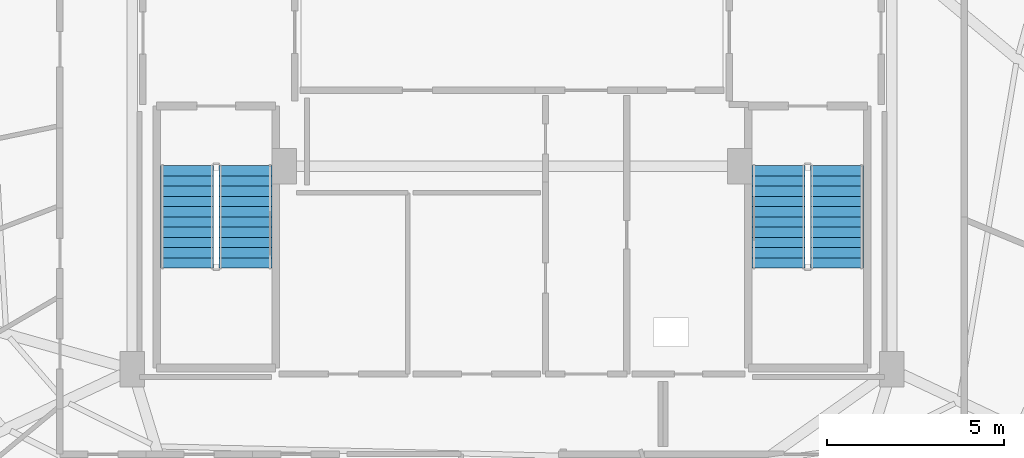
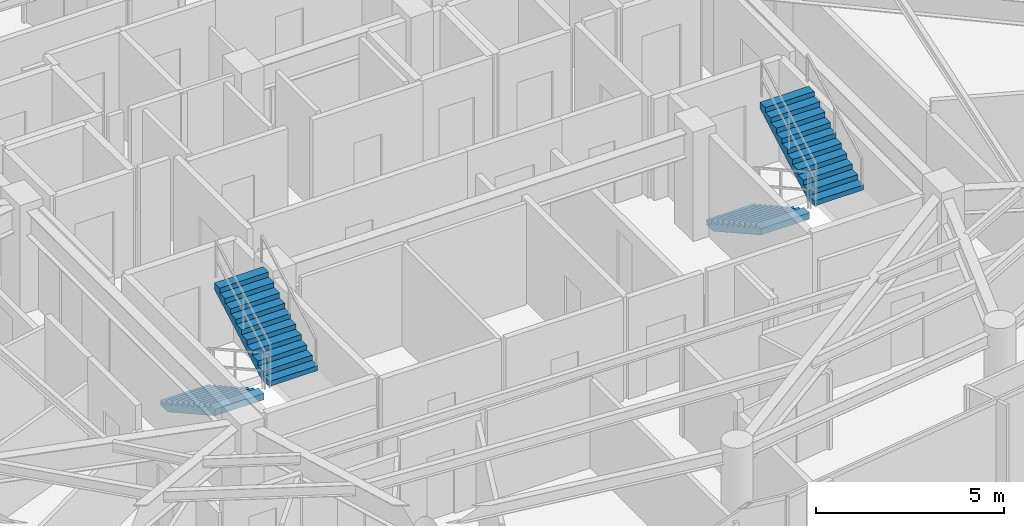
# One storey, part 26 of 30: 4 stair flights, 2 elements without a shape of their own.
"""IFC4 building model written with IfcOpenShell, lengths in metres."""

from ifc_helpers import new_model, si_unit, direction, frame, origin, place, context, subcontext, project, spatial, polyline, outline, extrude, material, type_object, element, aggregate, save


model = new_model("IFC4")

# Units and contexts
model_context = context("Model", 3, precision=1e-05, world=origin(), true_north=direction((0.0, 1.0)))
body_context = subcontext(model_context, "Body", "Model", "MODEL_VIEW")
ifc_project = project(units=[si_unit("LENGTHUNIT", "METRE"), si_unit("AREAUNIT", "SQUARE_METRE"), si_unit("VOLUMEUNIT", "CUBIC_METRE"), si_unit("PLANEANGLEUNIT", "RADIAN"), si_unit("MASSUNIT", "GRAM", prefix="KILO")], contexts=[model_context])

# Site, building, storey
site_placement = place(None, origin())
site = spatial("IfcSite", under=ifc_project, at=site_placement, CompositionType="ELEMENT")
building_placement = place(site_placement, origin())
building = spatial("IfcBuilding", under=site, at=building_placement, Name="Vorneva Point Tower", CompositionType="ELEMENT")
storey_placement = place(building_placement, frame((0.0, 0.0, 234.25)))
storey = spatial("IfcBuildingStorey", under=building, at=storey_placement, Name="L63", CompositionType="ELEMENT", Elevation=234.25)

# Stair, stair flights
ifc_material = material(Name="Concrete B50 (C40/50)", Category="concrete")
stair_type = type_object("IfcStairType", Name="ST-DOG-1500", PredefinedType="HALF_TURN_STAIR", material=ifc_material)
stair_1_placement = place(storey_placement, origin())
stair_1 = element("IfcStair", 1, at=stair_1_placement, inside=storey, type_object=stair_type, Name="L63 ST1", PredefinedType="HALF_TURN_STAIR")
stair_flight_type = type_object("IfcStairFlightType", Name="STF-1500", PredefinedType="STRAIGHT", material=ifc_material)
stair_flight_1_placement = place(storey_placement, frame((28.800048828125, 22.219970703125, 0.0), z_axis=(0.0, 0.0, 1.0), x_axis=(0.0, -1.0, 0.0)))
stair_flight_1 = element("IfcStairFlight", 2, at=stair_flight_1_placement, type_object=stair_flight_type, Name="ST1 flight 1", NumberOfRisers=11, NumberOfTreads=10, PredefinedType="STRAIGHT", RiserHeight=0.161363636, TreadLength=0.29, context=body_context, shape_type="SweptSolid", body=[
    extrude(outline(polyline([(0.0, 0.0), (0.0, 0.161376953125), (0.2900390625, 0.161376953125), (0.2900390625, 0.32275390625), (0.580078125, 0.32275390625), (0.580078125, 0.484130859375), (0.8701171875, 0.484130859375), (0.8701171875, 0.6455078125), (1.159912109375, 0.6455078125), (1.159912109375, 0.806884765625), (1.449951171875, 0.806884765625), (1.449951171875, 0.96826171875), (1.739990234375, 0.96826171875), (1.739990234375, 1.129638671875), (2.030029296875, 1.129638671875), (2.030029296875, 1.291015625), (2.320068359375, 1.291015625), (2.320068359375, 1.452392578125), (2.610107421875, 1.452392578125), (2.610107421875, 1.613525390625), (2.89990234375, 1.613525390625), (2.89990234375, 1.77490234375), (2.89990234375, 1.40771484375), (0.3701171875, 0.0), (0.0, 0.0)])), frame((0.0, 0.75, 0.0), z_axis=(0.0, -1.0, 0.0), x_axis=(1.0, 0.0, 0.0)), (0.0, 0.0, 1.0), 1.5),
])
stair_flight_2_placement = place(storey_placement, frame((30.449951171875, 19.320068359375, 1.77490234375), z_axis=(0.0, 0.0, 1.0), x_axis=(0.0, 1.0, 0.0)))
stair_flight_2 = element("IfcStairFlight", 3, at=stair_flight_2_placement, type_object=stair_flight_type, Name="ST1 flight 2", NumberOfRisers=11, NumberOfTreads=10, PredefinedType="STRAIGHT", RiserHeight=0.161363636, TreadLength=0.29, context=body_context, shape_type="SweptSolid", body=[
    extrude(outline(polyline([(0.0, 0.0), (0.0, 0.161376953125), (0.2900390625, 0.161376953125), (0.2900390625, 0.32275390625), (0.580078125, 0.32275390625), (0.580078125, 0.484130859375), (0.8701171875, 0.484130859375), (0.8701171875, 0.6455078125), (1.159912109375, 0.6455078125), (1.159912109375, 0.806884765625), (1.449951171875, 0.806884765625), (1.449951171875, 0.96826171875), (1.739990234375, 0.96826171875), (1.739990234375, 1.129638671875), (2.030029296875, 1.129638671875), (2.030029296875, 1.291015625), (2.320068359375, 1.291015625), (2.320068359375, 1.452392578125), (2.610107421875, 1.452392578125), (2.610107421875, 1.613525390625), (2.89990234375, 1.613525390625), (2.89990234375, 1.77490234375), (2.89990234375, 1.40771484375), (0.3701171875, 0.0), (0.0, 0.0)])), frame((0.0, 0.75, 0.0), z_axis=(0.0, -1.0, 0.0), x_axis=(1.0, 0.0, 0.0)), (0.0, 0.0, 1.0), 1.5),
])
aggregate(stair_1, [stair_flight_1, stair_flight_2])

stair_2_placement = place(storey_placement, origin())
stair_2 = element("IfcStair", 4, at=stair_2_placement, inside=storey, type_object=stair_type, Name="L63 ST2", PredefinedType="HALF_TURN_STAIR")
stair_flight_3_placement = place(storey_placement, frame((45.550048828125, 22.219970703125, 0.0), z_axis=(0.0, 0.0, 1.0), x_axis=(0.0, -1.0, 0.0)))
stair_flight_3 = element("IfcStairFlight", 5, at=stair_flight_3_placement, type_object=stair_flight_type, Name="ST2 flight 1", NumberOfRisers=11, NumberOfTreads=10, PredefinedType="STRAIGHT", RiserHeight=0.161363636, TreadLength=0.29, context=body_context, shape_type="SweptSolid", body=[
    extrude(outline(polyline([(0.0, 0.0), (0.0, 0.161376953125), (0.2900390625, 0.161376953125), (0.2900390625, 0.32275390625), (0.580078125, 0.32275390625), (0.580078125, 0.484130859375), (0.8701171875, 0.484130859375), (0.8701171875, 0.6455078125), (1.159912109375, 0.6455078125), (1.159912109375, 0.806884765625), (1.449951171875, 0.806884765625), (1.449951171875, 0.96826171875), (1.739990234375, 0.96826171875), (1.739990234375, 1.129638671875), (2.030029296875, 1.129638671875), (2.030029296875, 1.291015625), (2.320068359375, 1.291015625), (2.320068359375, 1.452392578125), (2.610107421875, 1.452392578125), (2.610107421875, 1.613525390625), (2.89990234375, 1.613525390625), (2.89990234375, 1.77490234375), (2.89990234375, 1.40771484375), (0.3701171875, 0.0), (0.0, 0.0)])), frame((0.0, 0.75, 0.0), z_axis=(0.0, -1.0, 0.0), x_axis=(1.0, 0.0, 0.0)), (0.0, 0.0, 1.0), 1.5),
])
stair_flight_4_placement = place(storey_placement, frame((47.199951171875, 19.320068359375, 1.77490234375), z_axis=(0.0, 0.0, 1.0), x_axis=(0.0, 1.0, 0.0)))
stair_flight_4 = element("IfcStairFlight", 6, at=stair_flight_4_placement, type_object=stair_flight_type, Name="ST2 flight 2", NumberOfRisers=11, NumberOfTreads=10, PredefinedType="STRAIGHT", RiserHeight=0.161363636, TreadLength=0.29, context=body_context, shape_type="SweptSolid", body=[
    extrude(outline(polyline([(0.0, 0.0), (0.0, 0.161376953125), (0.2900390625, 0.161376953125), (0.2900390625, 0.32275390625), (0.580078125, 0.32275390625), (0.580078125, 0.484130859375), (0.8701171875, 0.484130859375), (0.8701171875, 0.6455078125), (1.159912109375, 0.6455078125), (1.159912109375, 0.806884765625), (1.449951171875, 0.806884765625), (1.449951171875, 0.96826171875), (1.739990234375, 0.96826171875), (1.739990234375, 1.129638671875), (2.030029296875, 1.129638671875), (2.030029296875, 1.291015625), (2.320068359375, 1.291015625), (2.320068359375, 1.452392578125), (2.610107421875, 1.452392578125), (2.610107421875, 1.613525390625), (2.89990234375, 1.613525390625), (2.89990234375, 1.77490234375), (2.89990234375, 1.40771484375), (0.3701171875, 0.0), (0.0, 0.0)])), frame((0.0, 0.75, 0.0), z_axis=(0.0, -1.0, 0.0), x_axis=(1.0, 0.0, 0.0)), (0.0, 0.0, 1.0), 1.5),
])
aggregate(stair_2, [stair_flight_3, stair_flight_4])

save(model, "model.ifc")
